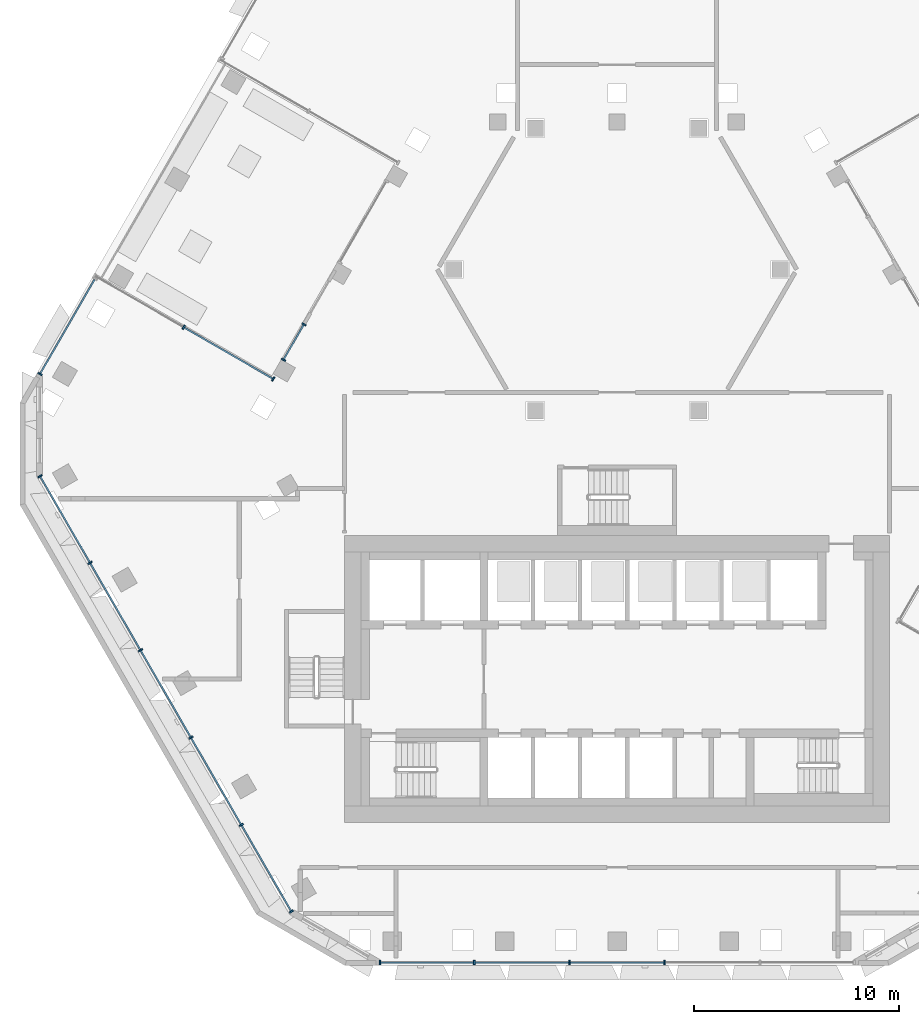
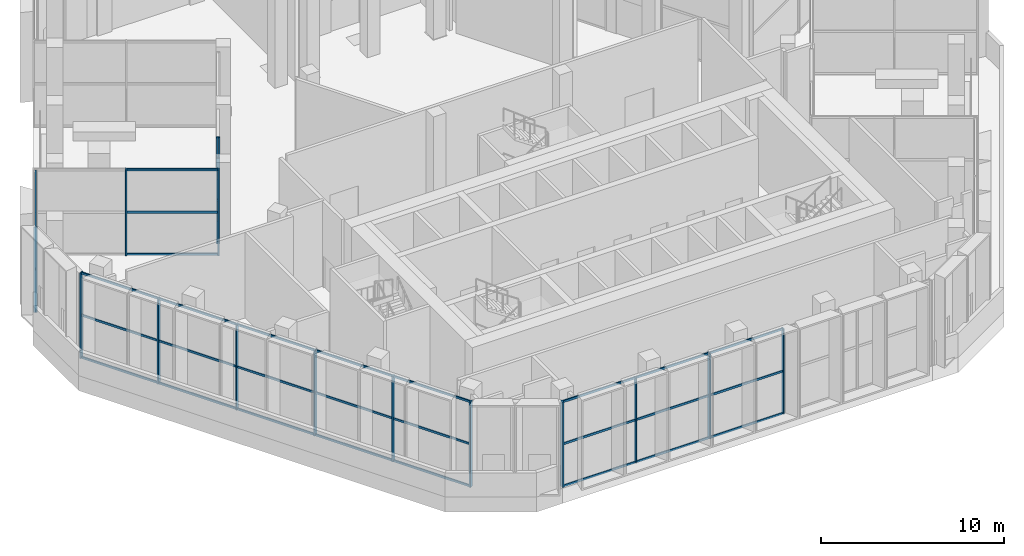
# One storey, part 2 of 27: 48 members, 5 elements without a shape of their own.
"""IFC4 building model written with IfcOpenShell, lengths in metres."""

from ifc_helpers import new_model, si_unit, direction, frame, origin, origin_2d, place, context, subcontext, project, spatial, rectangle, hollow_rectangle, extrude, material, material_profile, profile_set, type_object, element, aggregate, save


model = new_model("IFC4")

# Units and contexts
model_context = context("Model", 3, precision=1e-05, world=origin(), true_north=direction((0.0, 1.0)))
body_context = subcontext(model_context, "Body", "Model", "MODEL_VIEW")
ifc_project = project(units=[si_unit("LENGTHUNIT", "METRE"), si_unit("AREAUNIT", "SQUARE_METRE"), si_unit("VOLUMEUNIT", "CUBIC_METRE"), si_unit("PLANEANGLEUNIT", "RADIAN"), si_unit("MASSUNIT", "GRAM", prefix="KILO")], contexts=[model_context])

# Site, building, storey
site_placement = place(None, origin())
site = spatial("IfcSite", under=ifc_project, at=site_placement, CompositionType="ELEMENT")
building_placement = place(site_placement, origin())
building = spatial("IfcBuilding", under=site, at=building_placement, Name="Beryl Residences", CompositionType="ELEMENT")
storey_placement = place(building_placement, frame((0.0, 0.0, 111.60009765625)))
storey = spatial("IfcBuildingStorey", under=building, at=storey_placement, Name="L34", CompositionType="ELEMENT", Elevation=111.60009765625)

# Curtain wall, member
ifc_material_1 = material(Name="Aluminium and clear glass", Category="aluminium")
curtain_wall_type = type_object("IfcCurtainWallType", Name="CW3 sky garden glazing glazed wall", PredefinedType="NOTDEFINED", material=ifc_material_1)
curtain_wall_1_placement = place(storey_placement, origin())
curtain_wall_1 = element("IfcCurtainWall", 1, at=curtain_wall_1_placement, inside=storey, type_object=curtain_wall_type, Name="CW3 L34 NW", PredefinedType="NOTDEFINED")
ifc_material_2 = material(Name="Aluminium", Category="aluminium")
ifc_material_profile_1 = material_profile(ifc_material_2, rectangle(XDim=0.080078125, YDim=0.219970703125, at=origin_2d()))
ifc_profile_set_1 = profile_set([ifc_material_profile_1], Name="Aluminium")
member_type_1 = type_object("IfcMemberType", Name="CW3-M mullion 80 x 220 mm", PredefinedType="MULLION", material=ifc_profile_set_1)
member_1_placement = place(storey_placement, frame((-28.177978515625, 2.89453125, 0.0), z_axis=(0.0, 0.0, 1.0), x_axis=(-0.499950258479, -0.866054120161, 0.0)))
member_1 = element("IfcMember", 2, at=member_1_placement, type_object=member_type_1, Name="CW3 mullion 2", PredefinedType="MULLION", context=body_context, shape_type="SweptSolid", body=[
    extrude(rectangle(XDim=0.080078125, YDim=0.219970703125, at=origin_2d()), origin(), (0.0, 0.0, 1.0), 5.699951171875),
])

# Curtain wall, members
curtain_wall_2_placement = place(storey_placement, origin())
curtain_wall_2 = element("IfcCurtainWall", 3, at=curtain_wall_2_placement, inside=storey, type_object=curtain_wall_type, Name="CW3 L34 SW", PredefinedType="NOTDEFINED")
member_2_placement = place(storey_placement, frame((-28.177978515625, -2.0947265625, 0.0), z_axis=(0.0, 0.0, 1.0), x_axis=(0.500003616288, -0.866023315909, 0.0)))
member_2 = element("IfcMember", 4, at=member_2_placement, type_object=member_type_1, Name="CW3 mullion 1", PredefinedType="MULLION", context=body_context, shape_type="SweptSolid", body=[
    extrude(rectangle(XDim=0.080078125, YDim=0.219970703125, at=origin_2d()), origin(), (0.0, 0.0, 1.0), 5.699951171875),
])
member_3_placement = place(storey_placement, frame((-25.735107421875, -6.325927734375, 0.0), z_axis=(0.0, 0.0, 1.0), x_axis=(0.500003616288, -0.866023315909, 0.0)))
member_3 = element("IfcMember", 5, at=member_3_placement, type_object=member_type_1, Name="CW3 mullion 2", PredefinedType="MULLION", context=body_context, shape_type="SweptSolid", body=[
    extrude(rectangle(XDim=0.080078125, YDim=0.219970703125, at=origin_2d()), origin(), (0.0, 0.0, 1.0), 5.699951171875),
])
member_4_placement = place(storey_placement, frame((-23.27197265625, -10.592041015625, 0.0), z_axis=(0.0, 0.0, 1.0), x_axis=(0.500003616288, -0.866023315909, 0.0)))
member_4 = element("IfcMember", 6, at=member_4_placement, type_object=member_type_1, Name="CW3 mullion 3", PredefinedType="MULLION", context=body_context, shape_type="SweptSolid", body=[
    extrude(rectangle(XDim=0.080078125, YDim=0.219970703125, at=origin_2d()), origin(), (0.0, 0.0, 1.0), 5.699951171875),
])
member_5_placement = place(storey_placement, frame((-20.80908203125, -14.85791015625, 0.0), z_axis=(0.0, 0.0, 1.0), x_axis=(0.500003616288, -0.866023315909, 0.0)))
member_5 = element("IfcMember", 7, at=member_5_placement, type_object=member_type_1, Name="CW3 mullion 4", PredefinedType="MULLION", context=body_context, shape_type="SweptSolid", body=[
    extrude(rectangle(XDim=0.080078125, YDim=0.219970703125, at=origin_2d()), origin(), (0.0, 0.0, 1.0), 5.699951171875),
])
member_6_placement = place(storey_placement, frame((-18.345947265625, -19.1240234375, 0.0), z_axis=(0.0, 0.0, 1.0), x_axis=(0.500003616288, -0.866023315909, 0.0)))
member_6 = element("IfcMember", 8, at=member_6_placement, type_object=member_type_1, Name="CW3 mullion 5", PredefinedType="MULLION", context=body_context, shape_type="SweptSolid", body=[
    extrude(rectangle(XDim=0.080078125, YDim=0.219970703125, at=origin_2d()), origin(), (0.0, 0.0, 1.0), 5.699951171875),
])
member_7_placement = place(storey_placement, frame((-15.903076171875, -23.35546875, 0.0), z_axis=(0.0, 0.0, 1.0), x_axis=(0.500003616288, -0.866023315909, 0.0)))
member_7 = element("IfcMember", 9, at=member_7_placement, type_object=member_type_1, Name="CW3 mullion 6", PredefinedType="MULLION", context=body_context, shape_type="SweptSolid", body=[
    extrude(rectangle(XDim=0.080078125, YDim=0.219970703125, at=origin_2d()), origin(), (0.0, 0.0, 1.0), 5.699951171875),
])

curtain_wall_3_placement = place(storey_placement, origin())
curtain_wall_3 = element("IfcCurtainWall", 10, at=curtain_wall_3_placement, inside=storey, type_object=curtain_wall_type, Name="CW3 L34 S", PredefinedType="NOTDEFINED")
member_8_placement = place(storey_placement, frame((-11.58203125, -25.85009765625, 0.0), z_axis=(0.0, 0.0, 1.0), x_axis=(1.0, 0.0, 0.0)))
member_8 = element("IfcMember", 11, at=member_8_placement, type_object=member_type_1, Name="CW3 mullion 1", PredefinedType="MULLION", context=body_context, shape_type="SweptSolid", body=[
    extrude(rectangle(XDim=0.080078125, YDim=0.219970703125, at=origin_2d()), origin(), (0.0, 0.0, 1.0), 5.699951171875),
])
member_9_placement = place(storey_placement, frame((-6.97314453125, -25.85009765625, 0.0), z_axis=(0.0, 0.0, 1.0), x_axis=(1.0, 0.0, 0.0)))
member_9 = element("IfcMember", 12, at=member_9_placement, type_object=member_type_1, Name="CW3 mullion 2", PredefinedType="MULLION", context=body_context, shape_type="SweptSolid", body=[
    extrude(rectangle(XDim=0.080078125, YDim=0.219970703125, at=origin_2d()), origin(), (0.0, 0.0, 1.0), 5.699951171875),
])
member_10_placement = place(storey_placement, frame((-2.324462890625, -25.85009765625, 0.0), z_axis=(0.0, 0.0, 1.0), x_axis=(1.0, 0.0, 0.0)))
member_10 = element("IfcMember", 13, at=member_10_placement, type_object=member_type_1, Name="CW3 mullion 3", PredefinedType="MULLION", context=body_context, shape_type="SweptSolid", body=[
    extrude(rectangle(XDim=0.080078125, YDim=0.219970703125, at=origin_2d()), origin(), (0.0, 0.0, 1.0), 5.699951171875),
])
member_11_placement = place(storey_placement, frame((2.324462890625, -25.85009765625, 0.0), z_axis=(0.0, 0.0, 1.0), x_axis=(1.0, 0.0, 0.0)))
member_11 = element("IfcMember", 14, at=member_11_placement, type_object=member_type_1, Name="CW3 mullion 4", PredefinedType="MULLION", context=body_context, shape_type="SweptSolid", body=[
    extrude(rectangle(XDim=0.080078125, YDim=0.219970703125, at=origin_2d()), origin(), (0.0, 0.0, 1.0), 5.699951171875),
])

curtain_wall_4_placement = place(storey_placement, origin())
curtain_wall_4 = element("IfcCurtainWall", 15, at=curtain_wall_4_placement, inside=storey, type_object=curtain_wall_type, Name="CW3 L34 NW garden back", PredefinedType="NOTDEFINED")
member_12_placement = place(storey_placement, frame((-15.2900390625, 5.3173828125, 0.0), z_axis=(0.0, 0.0, 1.0), x_axis=(-0.500069298337, -0.865985390674, 0.0)))
member_12 = element("IfcMember", 16, at=member_12_placement, type_object=member_type_1, Name="CW3 mullion 1", PredefinedType="MULLION", context=body_context, shape_type="SweptSolid", body=[
    extrude(rectangle(XDim=0.080078125, YDim=0.219970703125, at=origin_2d()), origin(), (0.0, 0.0, 1.0), 5.699951171875),
])
member_13_placement = place(storey_placement, frame((-16.2900390625, 3.585693359375, 0.0), z_axis=(0.0, 0.0, 1.0), x_axis=(-0.500069298337, -0.865985390674, 0.0)))
member_13 = element("IfcMember", 17, at=member_13_placement, type_object=member_type_1, Name="CW3 mullion 2", PredefinedType="MULLION", context=body_context, shape_type="SweptSolid", body=[
    extrude(rectangle(XDim=0.080078125, YDim=0.219970703125, at=origin_2d()), origin(), (0.0, 0.0, 1.0), 5.699951171875),
])

curtain_wall_5_placement = place(storey_placement, origin())
curtain_wall_5 = element("IfcCurtainWall", 18, at=curtain_wall_5_placement, inside=storey, type_object=curtain_wall_type, Name="CW3 L34 NW garden right", PredefinedType="NOTDEFINED")
member_14_placement = place(storey_placement, frame((-21.160888671875, 5.173583984375, 0.0), z_axis=(0.0, 0.0, 1.0), x_axis=(0.866051386658, -0.499954993642, 0.0)))
member_14 = element("IfcMember", 19, at=member_14_placement, type_object=member_type_1, Name="CW3 mullion 2", PredefinedType="MULLION", context=body_context, shape_type="SweptSolid", body=[
    extrude(rectangle(XDim=0.080078125, YDim=0.219970703125, at=origin_2d()), origin(), (0.0, 0.0, 1.0), 5.699951171875),
])
member_15_placement = place(storey_placement, frame((-16.78955078125, 2.64990234375, 0.0), z_axis=(0.0, 0.0, 1.0), x_axis=(0.866051386658, -0.499954993642, 0.0)))
member_15 = element("IfcMember", 20, at=member_15_placement, type_object=member_type_1, Name="CW3 mullion 3", PredefinedType="MULLION", context=body_context, shape_type="SweptSolid", body=[
    extrude(rectangle(XDim=0.080078125, YDim=0.219970703125, at=origin_2d()), origin(), (0.0, 0.0, 1.0), 5.699951171875),
])

# Member
ifc_material_3 = material(Name="Aluminium", Category="aluminium")
ifc_material_profile_2 = material_profile(ifc_material_3, hollow_rectangle(XDim=0.080078125, YDim=0.139892578125, WallThickness=0.00390625, at=origin_2d()))
ifc_profile_set_2 = profile_set([ifc_material_profile_2], Name="Aluminium")
member_type_2 = type_object("IfcMemberType", Name="CW3-T transom 80 x 140 mm", PredefinedType="USERDEFINED", material=ifc_profile_set_2)
member_16_placement = place(storey_placement, frame((-25.514892578125, 7.5078125, 0.039794921875), z_axis=(-0.4999436497, -0.866057935201, 0.0), x_axis=(0.866057935201, -0.4999436497, 0.0)))
member_16 = element("IfcMember", 21, at=member_16_placement, type_object=member_type_2, Name="CW3 transom 1.1", ObjectType="TRANSOM", PredefinedType="USERDEFINED", context=body_context, shape_type="SweptSolid", body=[
    extrude(hollow_rectangle(XDim=0.080078125, YDim=0.139892578125, WallThickness=0.00390625, at=origin_2d()), origin(), (0.0, 0.0, 1.0), 5.28662109375),
])

member_17_placement = place(storey_placement, frame((-25.514892578125, 7.5078125, 2.849853515625), z_axis=(-0.4999436497, -0.866057935201, 0.0), x_axis=(0.866057935201, -0.4999436497, 0.0)))
member_17 = element("IfcMember", 22, at=member_17_placement, type_object=member_type_2, Name="CW3 transom 1.2", ObjectType="TRANSOM", PredefinedType="USERDEFINED", context=body_context, shape_type="SweptSolid", body=[
    extrude(hollow_rectangle(XDim=0.080078125, YDim=0.139892578125, WallThickness=0.00390625, at=origin_2d()), origin(), (0.0, 0.0, 1.0), 5.28662109375),
])

member_18_placement = place(storey_placement, frame((-25.514892578125, 7.5078125, 5.659912109375), z_axis=(-0.4999436497, -0.866057935201, 0.0), x_axis=(0.866057935201, -0.4999436497, 0.0)))
member_18 = element("IfcMember", 23, at=member_18_placement, type_object=member_type_2, Name="CW3 transom 1.3", ObjectType="TRANSOM", PredefinedType="USERDEFINED", context=body_context, shape_type="SweptSolid", body=[
    extrude(hollow_rectangle(XDim=0.080078125, YDim=0.139892578125, WallThickness=0.00390625, at=origin_2d()), origin(), (0.0, 0.0, 1.0), 5.28662109375),
])

aggregate(curtain_wall_1, [member_1, member_16, member_17, member_18])

member_19_placement = place(storey_placement, frame((-28.157958984375, -2.12939453125, 0.039794921875), z_axis=(0.50003466983, -0.866005386223, 0.0), x_axis=(0.866005386223, 0.50003466983, 0.0)))
member_19 = element("IfcMember", 24, at=member_19_placement, type_object=member_type_2, Name="CW3 transom 1.1", ObjectType="TRANSOM", PredefinedType="USERDEFINED", context=body_context, shape_type="SweptSolid", body=[
    extrude(hollow_rectangle(XDim=0.080078125, YDim=0.139892578125, WallThickness=0.00390625, at=origin_2d()), origin(), (0.0, 0.0, 1.0), 4.805908203125),
])

member_20_placement = place(storey_placement, frame((-28.157958984375, -2.12939453125, 2.849853515625), z_axis=(0.50003466983, -0.866005386223, 0.0), x_axis=(0.866005386223, 0.50003466983, 0.0)))
member_20 = element("IfcMember", 25, at=member_20_placement, type_object=member_type_2, Name="CW3 transom 1.2", ObjectType="TRANSOM", PredefinedType="USERDEFINED", context=body_context, shape_type="SweptSolid", body=[
    extrude(hollow_rectangle(XDim=0.080078125, YDim=0.139892578125, WallThickness=0.00390625, at=origin_2d()), origin(), (0.0, 0.0, 1.0), 4.805908203125),
])

member_21_placement = place(storey_placement, frame((-28.157958984375, -2.12939453125, 5.659912109375), z_axis=(0.50003466983, -0.866005386223, 0.0), x_axis=(0.866005386223, 0.50003466983, 0.0)))
member_21 = element("IfcMember", 26, at=member_21_placement, type_object=member_type_2, Name="CW3 transom 1.3", ObjectType="TRANSOM", PredefinedType="USERDEFINED", context=body_context, shape_type="SweptSolid", body=[
    extrude(hollow_rectangle(XDim=0.080078125, YDim=0.139892578125, WallThickness=0.00390625, at=origin_2d()), origin(), (0.0, 0.0, 1.0), 4.805908203125),
])

member_22_placement = place(storey_placement, frame((-25.715087890625, -6.360595703125, 0.039794921875), z_axis=(0.500013181875, -0.866017793092, 0.0), x_axis=(0.866017793092, 0.500013181875, 0.0)))
member_22 = element("IfcMember", 27, at=member_22_placement, type_object=member_type_2, Name="CW3 transom 2.1", ObjectType="TRANSOM", PredefinedType="USERDEFINED", context=body_context, shape_type="SweptSolid", body=[
    extrude(hollow_rectangle(XDim=0.080078125, YDim=0.139892578125, WallThickness=0.00390625, at=origin_2d()), origin(), (0.0, 0.0, 1.0), 4.845947265625),
])

member_23_placement = place(storey_placement, frame((-25.715087890625, -6.360595703125, 2.849853515625), z_axis=(0.500013181875, -0.866017793092, 0.0), x_axis=(0.866017793092, 0.500013181875, 0.0)))
member_23 = element("IfcMember", 28, at=member_23_placement, type_object=member_type_2, Name="CW3 transom 2.2", ObjectType="TRANSOM", PredefinedType="USERDEFINED", context=body_context, shape_type="SweptSolid", body=[
    extrude(hollow_rectangle(XDim=0.080078125, YDim=0.139892578125, WallThickness=0.00390625, at=origin_2d()), origin(), (0.0, 0.0, 1.0), 4.845947265625),
])

member_24_placement = place(storey_placement, frame((-25.715087890625, -6.360595703125, 5.659912109375), z_axis=(0.500013181875, -0.866017793092, 0.0), x_axis=(0.866017793092, 0.500013181875, 0.0)))
member_24 = element("IfcMember", 29, at=member_24_placement, type_object=member_type_2, Name="CW3 transom 2.3", ObjectType="TRANSOM", PredefinedType="USERDEFINED", context=body_context, shape_type="SweptSolid", body=[
    extrude(hollow_rectangle(XDim=0.080078125, YDim=0.139892578125, WallThickness=0.00390625, at=origin_2d()), origin(), (0.0, 0.0, 1.0), 4.845947265625),
])

member_25_placement = place(storey_placement, frame((-23.251953125, -10.626708984375, 0.039794921875), z_axis=(0.499997212184, -0.866027013325, 0.0), x_axis=(0.866027013325, 0.499997212184, 0.0)))
member_25 = element("IfcMember", 30, at=member_25_placement, type_object=member_type_2, Name="CW3 transom 3.1", ObjectType="TRANSOM", PredefinedType="USERDEFINED", context=body_context, shape_type="SweptSolid", body=[
    extrude(hollow_rectangle(XDim=0.080078125, YDim=0.139892578125, WallThickness=0.00390625, at=origin_2d()), origin(), (0.0, 0.0, 1.0), 4.845703125),
])

member_26_placement = place(storey_placement, frame((-23.251953125, -10.626708984375, 2.849853515625), z_axis=(0.499997212184, -0.866027013325, 0.0), x_axis=(0.866027013325, 0.499997212184, 0.0)))
member_26 = element("IfcMember", 31, at=member_26_placement, type_object=member_type_2, Name="CW3 transom 3.2", ObjectType="TRANSOM", PredefinedType="USERDEFINED", context=body_context, shape_type="SweptSolid", body=[
    extrude(hollow_rectangle(XDim=0.080078125, YDim=0.139892578125, WallThickness=0.00390625, at=origin_2d()), origin(), (0.0, 0.0, 1.0), 4.845703125),
])

member_27_placement = place(storey_placement, frame((-23.251953125, -10.626708984375, 5.659912109375), z_axis=(0.499997212184, -0.866027013325, 0.0), x_axis=(0.866027013325, 0.499997212184, 0.0)))
member_27 = element("IfcMember", 32, at=member_27_placement, type_object=member_type_2, Name="CW3 transom 3.3", ObjectType="TRANSOM", PredefinedType="USERDEFINED", context=body_context, shape_type="SweptSolid", body=[
    extrude(hollow_rectangle(XDim=0.080078125, YDim=0.139892578125, WallThickness=0.00390625, at=origin_2d()), origin(), (0.0, 0.0, 1.0), 4.845703125),
])

member_28_placement = place(storey_placement, frame((-20.7890625, -14.892578125, 0.039794921875), z_axis=(0.500013181875, -0.866017793092, 0.0), x_axis=(0.866017793092, 0.500013181875, 0.0)))
member_28 = element("IfcMember", 33, at=member_28_placement, type_object=member_type_2, Name="CW3 transom 4.1", ObjectType="TRANSOM", PredefinedType="USERDEFINED", context=body_context, shape_type="SweptSolid", body=[
    extrude(hollow_rectangle(XDim=0.080078125, YDim=0.139892578125, WallThickness=0.00390625, at=origin_2d()), origin(), (0.0, 0.0, 1.0), 4.845947265625),
])

member_29_placement = place(storey_placement, frame((-20.7890625, -14.892578125, 2.849853515625), z_axis=(0.500013181875, -0.866017793092, 0.0), x_axis=(0.866017793092, 0.500013181875, 0.0)))
member_29 = element("IfcMember", 34, at=member_29_placement, type_object=member_type_2, Name="CW3 transom 4.2", ObjectType="TRANSOM", PredefinedType="USERDEFINED", context=body_context, shape_type="SweptSolid", body=[
    extrude(hollow_rectangle(XDim=0.080078125, YDim=0.139892578125, WallThickness=0.00390625, at=origin_2d()), origin(), (0.0, 0.0, 1.0), 4.845947265625),
])

member_30_placement = place(storey_placement, frame((-20.7890625, -14.892578125, 5.659912109375), z_axis=(0.500013181875, -0.866017793092, 0.0), x_axis=(0.866017793092, 0.500013181875, 0.0)))
member_30 = element("IfcMember", 35, at=member_30_placement, type_object=member_type_2, Name="CW3 transom 4.3", ObjectType="TRANSOM", PredefinedType="USERDEFINED", context=body_context, shape_type="SweptSolid", body=[
    extrude(hollow_rectangle(XDim=0.080078125, YDim=0.139892578125, WallThickness=0.00390625, at=origin_2d()), origin(), (0.0, 0.0, 1.0), 4.845947265625),
])

member_31_placement = place(storey_placement, frame((-18.325927734375, -19.15869140625, 0.039794921875), z_axis=(0.499974572209, -0.866040084029, 0.0), x_axis=(0.866040084029, 0.499974572209, 0.0)))
member_31 = element("IfcMember", 36, at=member_31_placement, type_object=member_type_2, Name="CW3 transom 5.1", ObjectType="TRANSOM", PredefinedType="USERDEFINED", context=body_context, shape_type="SweptSolid", body=[
    extrude(hollow_rectangle(XDim=0.080078125, YDim=0.139892578125, WallThickness=0.00390625, at=origin_2d()), origin(), (0.0, 0.0, 1.0), 4.805908203125),
])

member_32_placement = place(storey_placement, frame((-18.325927734375, -19.15869140625, 2.849853515625), z_axis=(0.499974572209, -0.866040084029, 0.0), x_axis=(0.866040084029, 0.499974572209, 0.0)))
member_32 = element("IfcMember", 37, at=member_32_placement, type_object=member_type_2, Name="CW3 transom 5.2", ObjectType="TRANSOM", PredefinedType="USERDEFINED", context=body_context, shape_type="SweptSolid", body=[
    extrude(hollow_rectangle(XDim=0.080078125, YDim=0.139892578125, WallThickness=0.00390625, at=origin_2d()), origin(), (0.0, 0.0, 1.0), 4.805908203125),
])

member_33_placement = place(storey_placement, frame((-18.325927734375, -19.15869140625, 5.659912109375), z_axis=(0.499974572209, -0.866040084029, 0.0), x_axis=(0.866040084029, 0.499974572209, 0.0)))
member_33 = element("IfcMember", 38, at=member_33_placement, type_object=member_type_2, Name="CW3 transom 5.3", ObjectType="TRANSOM", PredefinedType="USERDEFINED", context=body_context, shape_type="SweptSolid", body=[
    extrude(hollow_rectangle(XDim=0.080078125, YDim=0.139892578125, WallThickness=0.00390625, at=origin_2d()), origin(), (0.0, 0.0, 1.0), 4.805908203125),
])

aggregate(curtain_wall_2, [member_2, member_3, member_4, member_5, member_6, member_7, member_19, member_20, member_21, member_22, member_23, member_24, member_25, member_26, member_27, member_28, member_29, member_30, member_31, member_32, member_33])

member_34_placement = place(storey_placement, frame((-11.5419921875, -25.85009765625, 0.039794921875), z_axis=(1.0, 0.0, 0.0), x_axis=(0.0, 1.0, 0.0)))
member_34 = element("IfcMember", 39, at=member_34_placement, type_object=member_type_2, Name="CW3 transom 1.1", ObjectType="TRANSOM", PredefinedType="USERDEFINED", context=body_context, shape_type="SweptSolid", body=[
    extrude(hollow_rectangle(XDim=0.080078125, YDim=0.139892578125, WallThickness=0.00390625, at=origin_2d()), origin(), (0.0, 0.0, 1.0), 4.52880859375),
])

member_35_placement = place(storey_placement, frame((-11.5419921875, -25.85009765625, 2.849853515625), z_axis=(1.0, 0.0, 0.0), x_axis=(0.0, 1.0, 0.0)))
member_35 = element("IfcMember", 40, at=member_35_placement, type_object=member_type_2, Name="CW3 transom 1.2", ObjectType="TRANSOM", PredefinedType="USERDEFINED", context=body_context, shape_type="SweptSolid", body=[
    extrude(hollow_rectangle(XDim=0.080078125, YDim=0.139892578125, WallThickness=0.00390625, at=origin_2d()), origin(), (0.0, 0.0, 1.0), 4.52880859375),
])

member_36_placement = place(storey_placement, frame((-11.5419921875, -25.85009765625, 5.659912109375), z_axis=(1.0, 0.0, 0.0), x_axis=(0.0, 1.0, 0.0)))
member_36 = element("IfcMember", 41, at=member_36_placement, type_object=member_type_2, Name="CW3 transom 1.3", ObjectType="TRANSOM", PredefinedType="USERDEFINED", context=body_context, shape_type="SweptSolid", body=[
    extrude(hollow_rectangle(XDim=0.080078125, YDim=0.139892578125, WallThickness=0.00390625, at=origin_2d()), origin(), (0.0, 0.0, 1.0), 4.52880859375),
])

member_37_placement = place(storey_placement, frame((-6.93310546875, -25.85009765625, 0.039794921875), z_axis=(1.0, 0.0, 0.0), x_axis=(0.0, 1.0, 0.0)))
member_37 = element("IfcMember", 42, at=member_37_placement, type_object=member_type_2, Name="CW3 transom 2.1", ObjectType="TRANSOM", PredefinedType="USERDEFINED", context=body_context, shape_type="SweptSolid", body=[
    extrude(hollow_rectangle(XDim=0.080078125, YDim=0.139892578125, WallThickness=0.00390625, at=origin_2d()), origin(), (0.0, 0.0, 1.0), 4.568603515625),
])

member_38_placement = place(storey_placement, frame((-6.93310546875, -25.85009765625, 2.849853515625), z_axis=(1.0, 0.0, 0.0), x_axis=(0.0, 1.0, 0.0)))
member_38 = element("IfcMember", 43, at=member_38_placement, type_object=member_type_2, Name="CW3 transom 2.2", ObjectType="TRANSOM", PredefinedType="USERDEFINED", context=body_context, shape_type="SweptSolid", body=[
    extrude(hollow_rectangle(XDim=0.080078125, YDim=0.139892578125, WallThickness=0.00390625, at=origin_2d()), origin(), (0.0, 0.0, 1.0), 4.568603515625),
])

member_39_placement = place(storey_placement, frame((-6.93310546875, -25.85009765625, 5.659912109375), z_axis=(1.0, 0.0, 0.0), x_axis=(0.0, 1.0, 0.0)))
member_39 = element("IfcMember", 44, at=member_39_placement, type_object=member_type_2, Name="CW3 transom 2.3", ObjectType="TRANSOM", PredefinedType="USERDEFINED", context=body_context, shape_type="SweptSolid", body=[
    extrude(hollow_rectangle(XDim=0.080078125, YDim=0.139892578125, WallThickness=0.00390625, at=origin_2d()), origin(), (0.0, 0.0, 1.0), 4.568603515625),
])

member_40_placement = place(storey_placement, frame((-2.284423828125, -25.85009765625, 0.039794921875), z_axis=(1.0, 0.0, 0.0), x_axis=(0.0, 1.0, 0.0)))
member_40 = element("IfcMember", 45, at=member_40_placement, type_object=member_type_2, Name="CW3 transom 3.1", ObjectType="TRANSOM", PredefinedType="USERDEFINED", context=body_context, shape_type="SweptSolid", body=[
    extrude(hollow_rectangle(XDim=0.080078125, YDim=0.139892578125, WallThickness=0.00390625, at=origin_2d()), origin(), (0.0, 0.0, 1.0), 4.56884765625),
])

member_41_placement = place(storey_placement, frame((-2.284423828125, -25.85009765625, 2.849853515625), z_axis=(1.0, 0.0, 0.0), x_axis=(0.0, 1.0, 0.0)))
member_41 = element("IfcMember", 46, at=member_41_placement, type_object=member_type_2, Name="CW3 transom 3.2", ObjectType="TRANSOM", PredefinedType="USERDEFINED", context=body_context, shape_type="SweptSolid", body=[
    extrude(hollow_rectangle(XDim=0.080078125, YDim=0.139892578125, WallThickness=0.00390625, at=origin_2d()), origin(), (0.0, 0.0, 1.0), 4.56884765625),
])

member_42_placement = place(storey_placement, frame((-2.284423828125, -25.85009765625, 5.659912109375), z_axis=(1.0, 0.0, 0.0), x_axis=(0.0, 1.0, 0.0)))
member_42 = element("IfcMember", 47, at=member_42_placement, type_object=member_type_2, Name="CW3 transom 3.3", ObjectType="TRANSOM", PredefinedType="USERDEFINED", context=body_context, shape_type="SweptSolid", body=[
    extrude(hollow_rectangle(XDim=0.080078125, YDim=0.139892578125, WallThickness=0.00390625, at=origin_2d()), origin(), (0.0, 0.0, 1.0), 4.56884765625),
])

aggregate(curtain_wall_3, [member_8, member_9, member_10, member_11, member_34, member_35, member_36, member_37, member_38, member_39, member_40, member_41, member_42])

member_43_placement = place(storey_placement, frame((-15.31005859375, 5.28271484375, 0.039794921875), z_axis=(-0.500078407093, -0.865980130696, 0.0), x_axis=(0.865980130696, -0.500078407093, 0.0)))
member_43 = element("IfcMember", 48, at=member_43_placement, type_object=member_type_2, Name="CW3 transom 1.1", ObjectType="TRANSOM", PredefinedType="USERDEFINED", context=body_context, shape_type="SweptSolid", body=[
    extrude(hollow_rectangle(XDim=0.080078125, YDim=0.139892578125, WallThickness=0.00390625, at=origin_2d()), origin(), (0.0, 0.0, 1.0), 1.919677734375),
])

member_44_placement = place(storey_placement, frame((-15.31005859375, 5.28271484375, 2.849853515625), z_axis=(-0.500078407093, -0.865980130696, 0.0), x_axis=(0.865980130696, -0.500078407093, 0.0)))
member_44 = element("IfcMember", 49, at=member_44_placement, type_object=member_type_2, Name="CW3 transom 1.2", ObjectType="TRANSOM", PredefinedType="USERDEFINED", context=body_context, shape_type="SweptSolid", body=[
    extrude(hollow_rectangle(XDim=0.080078125, YDim=0.139892578125, WallThickness=0.00390625, at=origin_2d()), origin(), (0.0, 0.0, 1.0), 1.919677734375),
])

member_45_placement = place(storey_placement, frame((-15.31005859375, 5.28271484375, 5.659912109375), z_axis=(-0.500078407093, -0.865980130696, 0.0), x_axis=(0.865980130696, -0.500078407093, 0.0)))
member_45 = element("IfcMember", 50, at=member_45_placement, type_object=member_type_2, Name="CW3 transom 1.3", ObjectType="TRANSOM", PredefinedType="USERDEFINED", context=body_context, shape_type="SweptSolid", body=[
    extrude(hollow_rectangle(XDim=0.080078125, YDim=0.139892578125, WallThickness=0.00390625, at=origin_2d()), origin(), (0.0, 0.0, 1.0), 1.919677734375),
])

aggregate(curtain_wall_4, [member_12, member_13, member_43, member_44, member_45])

member_46_placement = place(storey_placement, frame((-21.12646484375, 5.153564453125, 0.039794921875), z_axis=(0.86604809764, -0.499960691028, 0.0), x_axis=(0.499960691028, 0.86604809764, 0.0)))
member_46 = element("IfcMember", 51, at=member_46_placement, type_object=member_type_2, Name="CW3 transom 2.1", ObjectType="TRANSOM", PredefinedType="USERDEFINED", context=body_context, shape_type="SweptSolid", body=[
    extrude(hollow_rectangle(XDim=0.080078125, YDim=0.139892578125, WallThickness=0.00390625, at=origin_2d()), origin(), (0.0, 0.0, 1.0), 4.9677734375),
])

member_47_placement = place(storey_placement, frame((-21.12646484375, 5.153564453125, 2.849853515625), z_axis=(0.86604809764, -0.499960691028, 0.0), x_axis=(0.499960691028, 0.86604809764, 0.0)))
member_47 = element("IfcMember", 52, at=member_47_placement, type_object=member_type_2, Name="CW3 transom 2.2", ObjectType="TRANSOM", PredefinedType="USERDEFINED", context=body_context, shape_type="SweptSolid", body=[
    extrude(hollow_rectangle(XDim=0.080078125, YDim=0.139892578125, WallThickness=0.00390625, at=origin_2d()), origin(), (0.0, 0.0, 1.0), 4.9677734375),
])

member_48_placement = place(storey_placement, frame((-21.12646484375, 5.153564453125, 5.659912109375), z_axis=(0.86604809764, -0.499960691028, 0.0), x_axis=(0.499960691028, 0.86604809764, 0.0)))
member_48 = element("IfcMember", 53, at=member_48_placement, type_object=member_type_2, Name="CW3 transom 2.3", ObjectType="TRANSOM", PredefinedType="USERDEFINED", context=body_context, shape_type="SweptSolid", body=[
    extrude(hollow_rectangle(XDim=0.080078125, YDim=0.139892578125, WallThickness=0.00390625, at=origin_2d()), origin(), (0.0, 0.0, 1.0), 4.9677734375),
])

aggregate(curtain_wall_5, [member_14, member_15, member_46, member_47, member_48])

save(model, "model.ifc")
